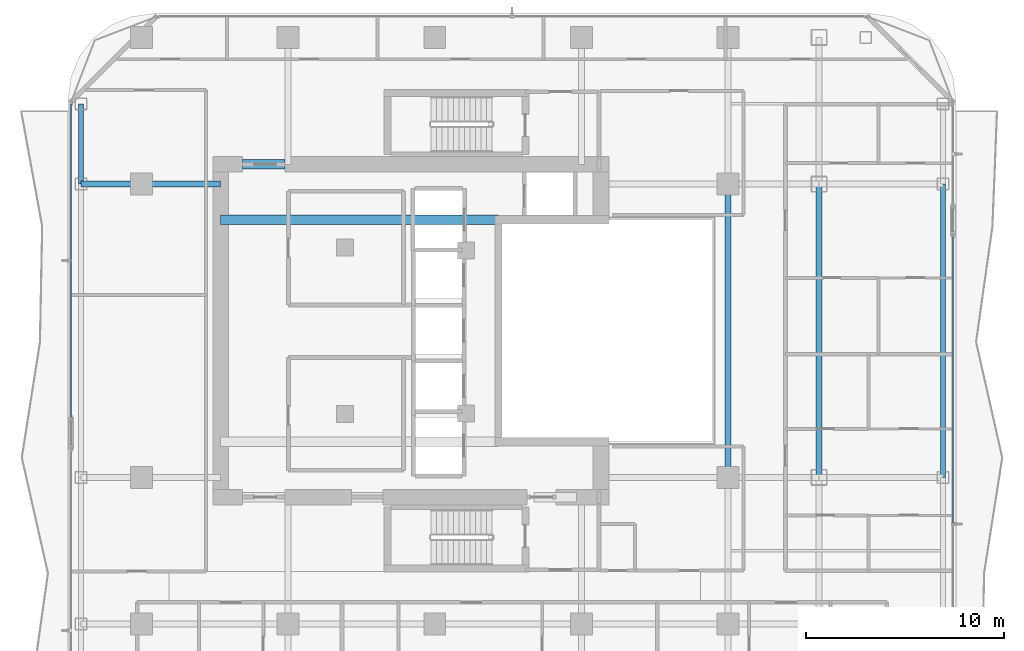
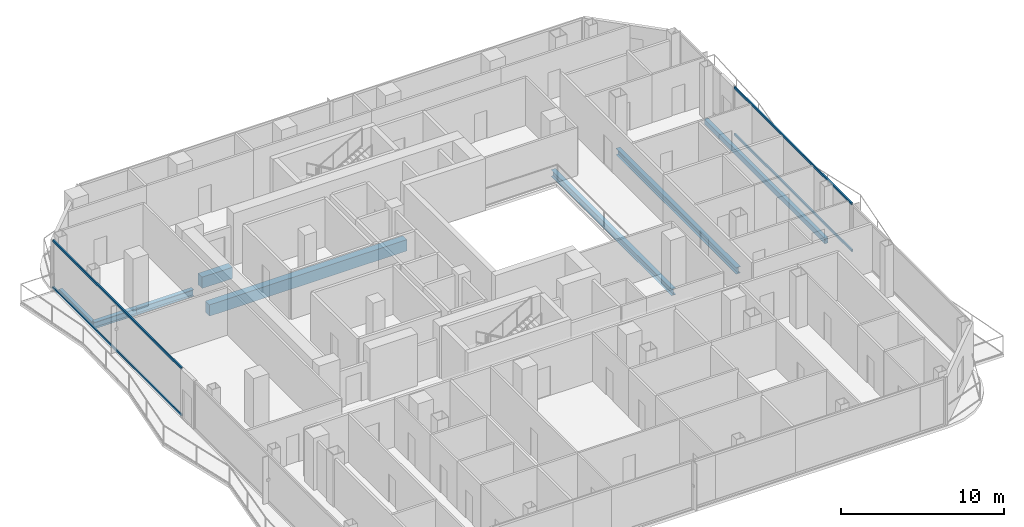
# One storey, part 12 of 27: 8 beams, 4 members, 2 elements without a shape of their own.
"""IFC4 building model written with IfcOpenShell, lengths in metres."""

from ifc_helpers import new_model, si_unit, direction, frame, origin, origin_2d, place, context, subcontext, project, spatial, rectangle, hollow_rectangle, i_section, extrude, material, layer, layer_set, material_profile, profile_set, type_object, element, aggregate, save


model = new_model("IFC4")

# Units and contexts
model_context = context("Model", 3, precision=1e-05, world=origin(), true_north=direction((0.0, 1.0)))
body_context = subcontext(model_context, "Body", "Model", "MODEL_VIEW")
ifc_project = project(units=[si_unit("LENGTHUNIT", "METRE"), si_unit("AREAUNIT", "SQUARE_METRE"), si_unit("VOLUMEUNIT", "CUBIC_METRE"), si_unit("PLANEANGLEUNIT", "RADIAN"), si_unit("MASSUNIT", "GRAM", prefix="KILO")], contexts=[model_context])

# Site, building, storey
site_placement = place(None, origin())
site = spatial("IfcSite", under=ifc_project, at=site_placement, CompositionType="ELEMENT")
building_placement = place(site_placement, origin())
building = spatial("IfcBuilding", under=site, at=building_placement, Name="Khorvyn Point Tower", CompositionType="ELEMENT")
storey_placement = place(building_placement, frame((0.0, 0.0, 231.300048828125)))
storey = spatial("IfcBuildingStorey", under=building, at=storey_placement, Name="L57", CompositionType="ELEMENT", Elevation=231.300048828125)

# Curtain wall, members
ifc_material_1 = material(Name="Anodised aluminium 6063-T6 and laminated Low-E glass", Category="aluminium")
ifc_layer = layer(ifc_material_1, 0.18994140625)
ifc_layer_set = layer_set([ifc_layer], Name="Stick-Built Acoustic Curtain Wall CW-SYS-03")
curtain_wall_type = type_object("IfcCurtainWallType", Name="Stick-Built Acoustic Curtain Wall CW-SYS-03", PredefinedType="NOTDEFINED", material=ifc_layer_set)
curtain_wall_1_placement = place(storey_placement, origin())
curtain_wall_1 = element("IfcCurtainWall", 1, at=curtain_wall_1_placement, inside=storey, type_object=curtain_wall_type, Name="Curtain Wall", PredefinedType="NOTDEFINED")
ifc_material_2 = material(Name="Anodised aluminium 6063-T6", Category="aluminium")
ifc_material_profile_1 = material_profile(ifc_material_2, hollow_rectangle(XDim=0.10009765625, YDim=0.159912109375, WallThickness=0.00439453125, at=origin_2d()))
ifc_profile_set_1 = profile_set([ifc_material_profile_1], Name="Anodised aluminium 6063-T6 ALU-TRN-100x160")
member_type = type_object("IfcMemberType", Name="Anodised Aluminium 6063-T6 Transom ALU-TRN-100x160", PredefinedType="USERDEFINED", material=ifc_profile_set_1)
member_1_placement = place(storey_placement, frame((-18.35009765625, -4.360107421875, 0.050048828125), z_axis=(0.0, 1.0, 0.0), x_axis=(-1.0, 0.0, 0.0)))
member_1 = element("IfcMember", 2, at=member_1_placement, type_object=member_type, Name="Transom", ObjectType="TRANSOM", PredefinedType="USERDEFINED", context=body_context, shape_type="SweptSolid", body=[
    extrude(hollow_rectangle(XDim=0.10009765625, YDim=0.159912109375, WallThickness=0.00439453125, at=origin_2d()), origin(), (0.0, 0.0, 1.0), 15.81005859375),
])
member_2_placement = place(storey_placement, frame((-18.35009765625, -4.360107421875, 3.550048828125), z_axis=(0.0, 1.0, 0.0), x_axis=(-1.0, 0.0, 0.0)))
member_2 = element("IfcMember", 3, at=member_2_placement, type_object=member_type, Name="Transom", ObjectType="TRANSOM", PredefinedType="USERDEFINED", context=body_context, shape_type="SweptSolid", body=[
    extrude(hollow_rectangle(XDim=0.10009765625, YDim=0.159912109375, WallThickness=0.00439453125, at=origin_2d()), origin(), (0.0, 0.0, 1.0), 15.81005859375),
])
aggregate(curtain_wall_1, [member_1, member_2])

curtain_wall_2_placement = place(storey_placement, origin())
curtain_wall_2 = element("IfcCurtainWall", 4, at=curtain_wall_2_placement, inside=storey, type_object=curtain_wall_type, Name="Curtain Wall", PredefinedType="NOTDEFINED")
member_3_placement = place(storey_placement, frame((26.14990234375, 4.741943359375, 0.050048828125), z_axis=(0.0, -1.0, 0.0), x_axis=(1.0, 0.0, 0.0)))
member_3 = element("IfcMember", 5, at=member_3_placement, type_object=member_type, Name="Transom", ObjectType="TRANSOM", PredefinedType="USERDEFINED", context=body_context, shape_type="SweptSolid", body=[
    extrude(hollow_rectangle(XDim=0.10009765625, YDim=0.159912109375, WallThickness=0.00439453125, at=origin_2d()), origin(), (0.0, 0.0, 1.0), 14.446044921875),
])
member_4_placement = place(storey_placement, frame((26.14990234375, 4.741943359375, 3.550048828125), z_axis=(0.0, -1.0, 0.0), x_axis=(1.0, 0.0, 0.0)))
member_4 = element("IfcMember", 6, at=member_4_placement, type_object=member_type, Name="Transom", ObjectType="TRANSOM", PredefinedType="USERDEFINED", context=body_context, shape_type="SweptSolid", body=[
    extrude(hollow_rectangle(XDim=0.10009765625, YDim=0.159912109375, WallThickness=0.00439453125, at=origin_2d()), origin(), (0.0, 0.0, 1.0), 14.446044921875),
])
aggregate(curtain_wall_2, [member_3, member_4])

# Beams
ifc_material_3 = material(Name="Concrete C45/55", Category="concrete")
ifc_material_profile_2 = material_profile(ifc_material_3, rectangle(XDim=0.5, YDim=0.85009765625, at=origin_2d()))
ifc_profile_set_2 = profile_set([ifc_material_profile_2], Name="Concrete C45/55 RC500x850")
beam_type_1 = type_object("IfcBeamType", Name="Concrete C45/55 Beam RC500x850", PredefinedType="BEAM", material=ifc_profile_set_2)
beam_1_placement = place(storey_placement, frame((-10.800048828125, 5.60009765625, -0.64501953125), z_axis=(1.0, 0.0, 0.0), x_axis=(0.0, 1.0, 0.0)))
element("IfcBeam", 7, at=beam_1_placement, inside=storey, type_object=beam_type_1, Name="L57 Core Internal Tie Girder N", PredefinedType="BEAM", context=body_context, shape_type="SweptSolid", body=[
    extrude(rectangle(XDim=0.5, YDim=0.85009765625, at=origin_2d()), origin(), (0.0, 0.0, 1.0), 14.02001953125),
])
beam_2_placement = place(storey_placement, frame((-9.699951171875, 8.39990234375, -0.64501953125), z_axis=(1.0, 0.0, 0.0), x_axis=(0.0, 1.0, 0.0)))
element("IfcBeam", 8, at=beam_2_placement, inside=storey, type_object=beam_type_1, Name="L57 Core Northwest Portal Coupling Beam", PredefinedType="BEAM", context=body_context, shape_type="SweptSolid", body=[
    extrude(rectangle(XDim=0.5, YDim=0.85009765625, at=origin_2d()), origin(), (0.0, 0.0, 1.0), 2.14990234375),
])
ifc_material_4 = material(Name="Steel S355", Category="steel")
ifc_material_profile_3 = material_profile(ifc_material_4, i_section(OverallWidth=0.300048828125, OverallDepth=0.488037109375, WebThickness=0.010986328125, FlangeThickness=0.01806640625, at=origin_2d()))
ifc_profile_set_3 = profile_set([ifc_material_profile_3], Name="Steel S355 H488x300x11x18")
beam_type_2 = type_object("IfcBeamType", Name="Steel S355 Spandrel H488x300x11x18", PredefinedType="SPANDREL", material=ifc_profile_set_3)
beam_3_placement = place(storey_placement, frame((-17.85009765625, 7.39990234375, -0.464111328125), z_axis=(1.0, 0.0, 0.0), x_axis=(0.0, 1.0, 0.0)))
element("IfcBeam", 9, at=beam_3_placement, inside=storey, type_object=beam_type_2, Name="Beam", PredefinedType="SPANDREL", context=body_context, shape_type="SweptSolid", body=[
    extrude(i_section(OverallWidth=0.300048828125, OverallDepth=0.488037109375, WebThickness=0.010986328125, FlangeThickness=0.01806640625, at=origin_2d()), origin(), (0.0, 0.0, 1.0), 3.050048828125),
])
beam_4_placement = place(storey_placement, frame((-14.800048828125, 7.39990234375, -0.464111328125), z_axis=(1.0, 0.0, 0.0), x_axis=(0.0, 1.0, 0.0)))
element("IfcBeam", 10, at=beam_4_placement, inside=storey, type_object=beam_type_2, Name="Beam", PredefinedType="SPANDREL", context=body_context, shape_type="SweptSolid", body=[
    extrude(i_section(OverallWidth=0.300048828125, OverallDepth=0.488037109375, WebThickness=0.010986328125, FlangeThickness=0.01806640625, at=origin_2d()), origin(), (0.0, 0.0, 1.0), 4.0),
])
for number, where, z_axis, x_axis, name in (
    (11, (14.800048828125, -7.39990234375, -0.464111328125), (0.0, 1.0, 0.0), (-1.0, 0.0, 0.0), "Beam"),
    (12, (19.39990234375, -7.39990234375, -0.464111328125), (0.0, 1.0, 0.0), (-1.0, 0.0, 0.0), "Beam"),
):
    element("IfcBeam", number, at=place(storey_placement, frame(where, z_axis=z_axis, x_axis=x_axis)), inside=storey, type_object=beam_type_2, Name=name, PredefinedType="SPANDREL", context=body_context, shape_type="SweptSolid", body=[
        extrude(i_section(OverallWidth=0.300048828125, OverallDepth=0.488037109375, WebThickness=0.010986328125, FlangeThickness=0.01806640625, at=origin_2d()), origin(), (0.0, 0.0, 1.0), 14.7998046875),
    ])
ifc_material_profile_4 = material_profile(ifc_material_4, hollow_rectangle(XDim=0.25, YDim=0.39990234375, WallThickness=0.01611328125, at=origin_2d()))
ifc_profile_set_4 = profile_set([ifc_material_profile_4], Name="Steel S355 RHS400x250x16")
beam_type_3 = type_object("IfcBeamType", Name="Steel S355 Spandrel RHS400x250x16", PredefinedType="SPANDREL", material=ifc_profile_set_4)
beam_5_placement = place(storey_placement, frame((-17.85009765625, 7.39990234375, -0.420166015625), z_axis=(0.0, 1.0, 0.0), x_axis=(-1.0, 0.0, 0.0)))
element("IfcBeam", 13, at=beam_5_placement, inside=storey, type_object=beam_type_3, Name="Beam", PredefinedType="SPANDREL", context=body_context, shape_type="SweptSolid", body=[
    extrude(hollow_rectangle(XDim=0.25, YDim=0.39990234375, WallThickness=0.01611328125, at=origin_2d()), origin(), (0.0, 0.0, 1.0), 4.050048828125),
])
beam_6_placement = place(storey_placement, frame((25.64990234375, -7.39990234375, -0.420166015625), z_axis=(0.0, 1.0, 0.0), x_axis=(-1.0, 0.0, 0.0)))
element("IfcBeam", 14, at=beam_6_placement, inside=storey, type_object=beam_type_3, Name="Beam", PredefinedType="SPANDREL", context=body_context, shape_type="SweptSolid", body=[
    extrude(hollow_rectangle(XDim=0.25, YDim=0.39990234375, WallThickness=0.01611328125, at=origin_2d()), origin(), (0.0, 0.0, 1.0), 14.7998046875),
])

save(model, "model.ifc")
